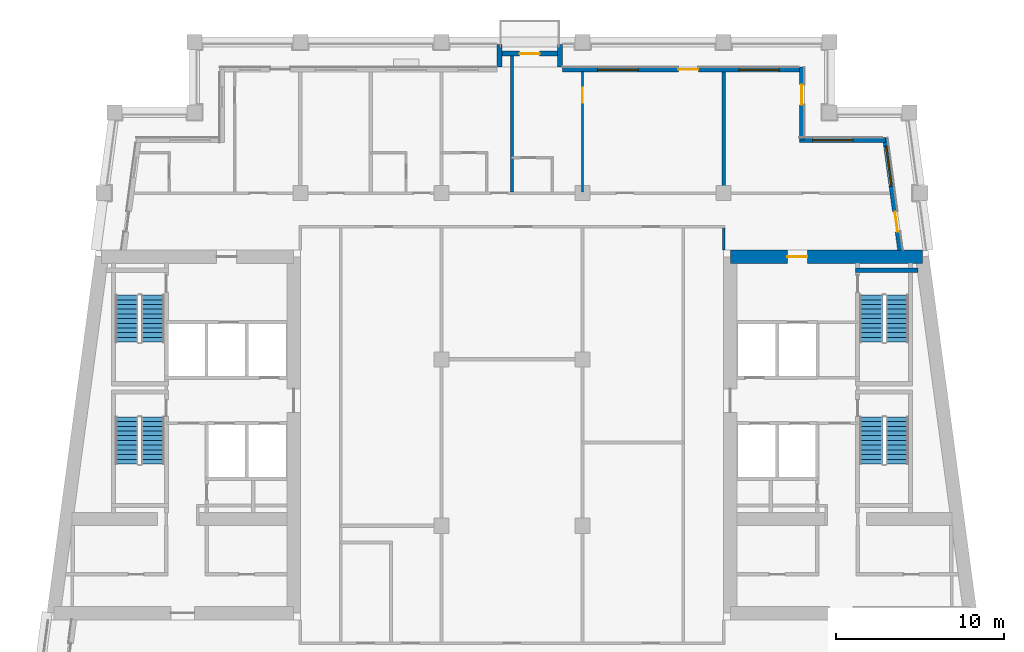
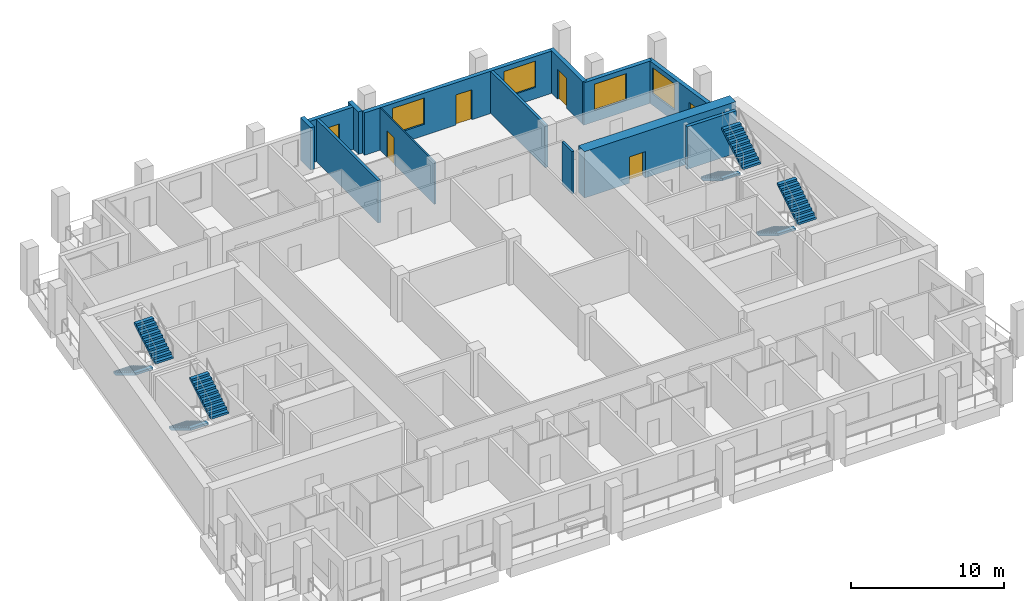
# One storey, part 7 of 12: 13 walls, 8 stair flights, 6 doors, 4 windows, 10 openings, 4 elements without a shape of their own.
"""IFC4 building model written with IfcOpenShell, lengths in metres."""

from ifc_helpers import new_model, si_unit, direction, frame, frame_2d, origin, place, context, subcontext, project, spatial, polyline, rectangle, outline, extrude, material, layer, layer_set, type_object, element, fill, aggregate, save


model = new_model("IFC4")

# Units and contexts
model_context = context("Model", 3, precision=1e-05, world=origin(), true_north=direction((0.0, 1.0)))
body_context = subcontext(model_context, "Body", "Model", "MODEL_VIEW")
ifc_project = project(units=[si_unit("LENGTHUNIT", "METRE"), si_unit("AREAUNIT", "SQUARE_METRE"), si_unit("VOLUMEUNIT", "CUBIC_METRE"), si_unit("PLANEANGLEUNIT", "RADIAN"), si_unit("MASSUNIT", "GRAM", prefix="KILO")], contexts=[model_context])

# Site, building, storey
site_placement = place(None, origin())
site = spatial("IfcSite", under=ifc_project, at=site_placement, CompositionType="ELEMENT")
building_placement = place(site_placement, origin())
building = spatial("IfcBuilding", under=site, at=building_placement, Name="Candeia Pilgrim Tower and Theatre", CompositionType="ELEMENT")
storey_placement = place(building_placement, frame((0.0, 0.0, 213.300048828125)))
storey = spatial("IfcBuildingStorey", under=building, at=storey_placement, Name="L51", CompositionType="ELEMENT", Elevation=213.300048828125)

# Wall, opening, door
ifc_material_1 = material(Name="Concrete C50/60", Category="concrete")
ifc_layer_1 = layer(ifc_material_1, 0.800048828125)
ifc_layer_set_1 = layer_set([ifc_layer_1], Name="Core wall 800 C50/60")
wall_type_1 = type_object("IfcWallType", Name="Core wall 800 C50/60", PredefinedType="SHEAR", material=ifc_layer_set_1)
wall_1_placement = place(storey_placement, frame((126.39990234375, 132.0, 0.0), z_axis=(0.0, 0.0, 1.0), x_axis=(1.0, 0.0, 0.0)))
wall_1 = element("IfcWall", 1, at=wall_1_placement, inside=storey, type_object=wall_type_1, Name="Core wall E1", PredefinedType="SHEAR", context=body_context, shape_type="SweptSolid", body=[
    extrude(rectangle(XDim=11.419677734375, YDim=0.800048828125, at=frame_2d((5.7099609375, 0.0))), origin(), (0.0, 0.0, 1.0), 3.699951171875),
])
opening_1_placement = place(wall_1_placement, frame((3.386474609375, 0.0, 0.0)))
opening_1 = element("IfcOpeningElement", 2, at=opening_1_placement, cuts=wall_1, Name="Opening L51-D057", PredefinedType="OPENING", context=body_context, shape_type="SweptSolid", body=[
    extrude(rectangle(XDim=1.199951171875, YDim=2.10009765625, at=frame_2d((0.60009765625, 1.050048828125))), frame((0.0, 0.41015625, 0.0), z_axis=(0.0, -1.0, 0.0), x_axis=(1.0, 0.0, 0.0)), (0.0, 0.0, 1.0), 0.820068359375),
])
ifc_material_2 = material(Name="Steel fire door set", Category="steel")
door_type_1 = type_object("IfcDoorType", Name="D-1200-FD60", OperationType="NOTDEFINED", PredefinedType="DOOR", material=ifc_material_2)
door_1_placement = place(opening_1_placement, origin())
door_1 = element("IfcDoor", 3, at=door_1_placement, inside=storey, type_object=door_type_1, Name="Door L51-D057", OperationType="SINGLE_SWING_RIGHT", OverallHeight=2.10009765625, OverallWidth=1.199951171875, PredefinedType="DOOR", context=body_context, shape_type="SweptSolid", body=[
    extrude(rectangle(XDim=1.199951171875, YDim=2.10009765625, at=frame_2d((0.60009765625, 1.050048828125))), frame((0.0, 0.02490234375, 0.0), z_axis=(0.0, -1.0, 0.0), x_axis=(1.0, 0.0, 0.0)), (0.0, 0.0, 1.0), 0.050048828125),
])
fill(opening_1, door_1)

# Wall, openings, door, window
ifc_material_3 = material(Name="Ceramic block masonry", Category="masonry")
ifc_layer_2 = layer(ifc_material_3, 0.300048828125)
ifc_layer_set_2 = layer_set([ifc_layer_2], Name="EW1 glazing-line wall 300")
wall_type_2 = type_object("IfcWallType", Name="EW1 glazing-line wall 300", PredefinedType="SOLIDWALL", material=ifc_layer_set_2)
wall_2_placement = place(storey_placement, frame((136.50439453125, 132.39990234375, 0.0), z_axis=(0.0, 0.0, 1.0), x_axis=(-0.133399697462, 0.99106231929, 0.0)))
wall_2 = element("IfcWall", 4, at=wall_2_placement, inside=storey, type_object=wall_type_2, Name="External wall L51-3.1", PredefinedType="SOLIDWALL", context=body_context, shape_type="SweptSolid", body=[
    extrude(rectangle(XDim=6.740478515625, YDim=0.300048828125, at=frame_2d((3.3701171875, 0.0))), origin(), (0.0, 0.0, 1.0), 3.3798828125),
])
opening_2_placement = place(wall_2_placement, frame((1.115234375, 0.0, 0.0)))
opening_2 = element("IfcOpeningElement", 5, at=opening_2_placement, cuts=wall_2, Name="Opening L51-ED485", PredefinedType="OPENING", context=body_context, shape_type="SweptSolid", body=[
    extrude(rectangle(XDim=1.199951171875, YDim=2.39990234375, at=frame_2d((0.60009765625, 1.199951171875))), frame((0.0, 0.16015625, 0.0), z_axis=(0.0, -1.0, 0.0), x_axis=(1.0, 0.0, 0.0)), (0.0, 0.0, 1.0), 0.320068359375),
])
opening_3_placement = place(wall_2_placement, frame((3.83544921875, 0.0, 0.89990234375)))
opening_3 = element("IfcOpeningElement", 6, at=opening_3_placement, cuts=wall_2, Name="Opening W-A", PredefinedType="OPENING", context=body_context, shape_type="SweptSolid", body=[
    extrude(rectangle(XDim=2.39990234375, YDim=2.10009765625, at=frame_2d((1.199951171875, 1.050048828125))), frame((0.0, 0.16015625, 0.0), z_axis=(0.0, -1.0, 0.0), x_axis=(1.0, 0.0, 0.0)), (0.0, 0.0, 1.0), 0.320068359375),
])
ifc_material_4 = material(Name="Aluminium framed glazed door", Category="aluminium")
door_type_2 = type_object("IfcDoorType", Name="Loggia door 1200x2400", OperationType="DOUBLE_DOOR_SINGLE_SWING", PredefinedType="DOOR", material=ifc_material_4)
door_2_placement = place(opening_2_placement, origin())
door_2 = element("IfcDoor", 7, at=door_2_placement, inside=storey, type_object=door_type_2, Name="Loggia door L51-ED485", OperationType="DOUBLE_DOOR_SINGLE_SWING", OverallHeight=2.39990234375, OverallWidth=1.199951171875, PredefinedType="DOOR", context=body_context, shape_type="SweptSolid", body=[
    extrude(rectangle(XDim=1.199951171875, YDim=2.39990234375, at=frame_2d((0.60009765625, 1.199951171875))), frame((0.0, 0.02490234375, 0.0), z_axis=(0.0, -1.0, 0.0), x_axis=(1.0, 0.0, 0.0)), (0.0, 0.0, 1.0), 0.050048828125),
])
fill(opening_2, door_2)
ifc_material_5 = material(Name="Aluminium framed double glazing", Category="aluminium")
window_type = type_object("IfcWindowType", Name="W-A window 2400x2100", PartitioningType="DOUBLE_PANEL_VERTICAL", PredefinedType="WINDOW", material=ifc_material_5)
window_1_placement = place(opening_3_placement, origin())
window_1 = element("IfcWindow", 8, at=window_1_placement, inside=storey, type_object=window_type, Name="Window W-A L51", OverallHeight=2.10009765625, OverallWidth=2.39990234375, PartitioningType="SINGLE_PANEL", PredefinedType="WINDOW", context=body_context, shape_type="SweptSolid", body=[
    extrude(rectangle(XDim=2.39990234375, YDim=2.10009765625, at=frame_2d((1.199951171875, 1.050048828125))), frame((0.0, 0.030029296875, 0.0), z_axis=(0.0, -1.0, 0.0), x_axis=(1.0, 0.0, 0.0)), (0.0, 0.0, 1.0), 0.06005859375),
])
fill(opening_3, window_1)

# Wall, opening, window
wall_3_placement = place(storey_placement, frame((135.62255859375, 138.949951171875, 0.0), z_axis=(0.0, 0.0, 1.0), x_axis=(-1.0, 0.0, 0.0)))
wall_3 = element("IfcWall", 9, at=wall_3_placement, inside=storey, type_object=wall_type_2, Name="External wall L51-4.0", PredefinedType="SOLIDWALL", context=body_context, shape_type="SweptSolid", body=[
    extrude(rectangle(XDim=5.12255859375, YDim=0.300048828125, at=frame_2d((2.561279296875, 0.0))), origin(), (0.0, 0.0, 1.0), 3.3798828125),
])
opening_4_placement = place(wall_3_placement, frame((1.922607421875, 0.0, 0.89990234375)))
opening_4 = element("IfcOpeningElement", 10, at=opening_4_placement, cuts=wall_3, Name="Opening W-A", PredefinedType="OPENING", context=body_context, shape_type="SweptSolid", body=[
    extrude(rectangle(XDim=2.39990234375, YDim=2.10009765625, at=frame_2d((1.199951171875, 1.050048828125))), frame((0.0, 0.16015625, 0.0), z_axis=(0.0, -1.0, 0.0), x_axis=(1.0, 0.0, 0.0)), (0.0, 0.0, 1.0), 0.320068359375),
])
window_2_placement = place(opening_4_placement, origin())
window_2 = element("IfcWindow", 11, at=window_2_placement, inside=storey, type_object=window_type, Name="Window W-A L51", OverallHeight=2.10009765625, OverallWidth=2.39990234375, PartitioningType="SINGLE_PANEL", PredefinedType="WINDOW", context=body_context, shape_type="SweptSolid", body=[
    extrude(rectangle(XDim=2.39990234375, YDim=2.10009765625, at=frame_2d((1.199951171875, 1.050048828125))), frame((0.0, 0.030029296875, 0.0), z_axis=(0.0, -1.0, 0.0), x_axis=(1.0, 0.0, 0.0)), (0.0, 0.0, 1.0), 0.06005859375),
])
fill(opening_4, window_2)

# Wall, opening, door
wall_4_placement = place(storey_placement, frame((130.64990234375, 138.949951171875, 0.0), z_axis=(0.0, 0.0, 1.0), x_axis=(0.0, 1.0, 0.0)))
wall_4 = element("IfcWall", 12, at=wall_4_placement, inside=storey, type_object=wall_type_2, Name="External wall L51-5.0", PredefinedType="SOLIDWALL", context=body_context, shape_type="SweptSolid", body=[
    extrude(rectangle(XDim=4.35009765625, YDim=0.300048828125, at=frame_2d((2.175048828125, 0.0))), origin(), (0.0, 0.0, 1.0), 3.3798828125),
])
opening_5_placement = place(wall_4_placement, frame((2.10009765625, 0.0, 0.0)))
opening_5 = element("IfcOpeningElement", 13, at=opening_5_placement, cuts=wall_4, Name="Opening L51-ED486", PredefinedType="OPENING", context=body_context, shape_type="SweptSolid", body=[
    extrude(rectangle(XDim=1.199951171875, YDim=2.39990234375, at=frame_2d((0.60009765625, 1.199951171875))), frame((0.0, 0.16015625, 0.0), z_axis=(0.0, -1.0, 0.0), x_axis=(1.0, 0.0, 0.0)), (0.0, 0.0, 1.0), 0.320068359375),
])
door_3_placement = place(opening_5_placement, origin())
door_3 = element("IfcDoor", 14, at=door_3_placement, inside=storey, type_object=door_type_2, Name="Loggia door L51-ED486", OperationType="DOUBLE_DOOR_SINGLE_SWING", OverallHeight=2.39990234375, OverallWidth=1.199951171875, PredefinedType="DOOR", context=body_context, shape_type="SweptSolid", body=[
    extrude(rectangle(XDim=1.199951171875, YDim=2.39990234375, at=frame_2d((0.60009765625, 1.199951171875))), frame((0.0, 0.02490234375, 0.0), z_axis=(0.0, -1.0, 0.0), x_axis=(1.0, 0.0, 0.0)), (0.0, 0.0, 1.0), 0.050048828125),
])
fill(opening_5, door_3)

# Wall, openings, door, windows
wall_5_placement = place(storey_placement, frame((130.64990234375, 143.14990234375, 0.0), z_axis=(0.0, 0.0, 1.0), x_axis=(-1.0, 0.0, 0.0)))
wall_5 = element("IfcWall", 15, at=wall_5_placement, inside=storey, type_object=wall_type_2, Name="External wall L51-6.0", PredefinedType="SOLIDWALL", context=body_context, shape_type="SweptSolid", body=[
    extrude(rectangle(XDim=14.25, YDim=0.300048828125, at=frame_2d((7.125, 0.0))), origin(), (0.0, 0.0, 1.0), 3.3798828125),
])
opening_6_placement = place(wall_5_placement, frame((1.35009765625, 0.0, 0.89990234375)))
opening_6 = element("IfcOpeningElement", 16, at=opening_6_placement, cuts=wall_5, Name="Opening W-A", PredefinedType="OPENING", context=body_context, shape_type="SweptSolid", body=[
    extrude(rectangle(XDim=2.39990234375, YDim=2.10009765625, at=frame_2d((1.199951171875, 1.050048828125))), frame((0.0, 0.16015625, 0.0), z_axis=(0.0, -1.0, 0.0), x_axis=(1.0, 0.0, 0.0)), (0.0, 0.0, 1.0), 0.320068359375),
])
opening_7_placement = place(wall_5_placement, frame((6.14990234375, 0.0, 0.0)))
opening_7 = element("IfcOpeningElement", 17, at=opening_7_placement, cuts=wall_5, Name="Opening L51-ED487", PredefinedType="OPENING", context=body_context, shape_type="SweptSolid", body=[
    extrude(rectangle(XDim=1.199951171875, YDim=2.39990234375, at=frame_2d((0.60009765625, 1.199951171875))), frame((0.0, 0.16015625, 0.0), z_axis=(0.0, -1.0, 0.0), x_axis=(1.0, 0.0, 0.0)), (0.0, 0.0, 1.0), 0.320068359375),
])
opening_8_placement = place(wall_5_placement, frame((9.75, 0.0, 0.89990234375)))
opening_8 = element("IfcOpeningElement", 18, at=opening_8_placement, cuts=wall_5, Name="Opening W-A", PredefinedType="OPENING", context=body_context, shape_type="SweptSolid", body=[
    extrude(rectangle(XDim=2.39990234375, YDim=2.10009765625, at=frame_2d((1.199951171875, 1.050048828125))), frame((0.0, 0.16015625, 0.0), z_axis=(0.0, -1.0, 0.0), x_axis=(1.0, 0.0, 0.0)), (0.0, 0.0, 1.0), 0.320068359375),
])
door_4_placement = place(opening_7_placement, origin())
door_4 = element("IfcDoor", 19, at=door_4_placement, inside=storey, type_object=door_type_2, Name="Loggia door L51-ED487", OperationType="DOUBLE_DOOR_SINGLE_SWING", OverallHeight=2.39990234375, OverallWidth=1.199951171875, PredefinedType="DOOR", context=body_context, shape_type="SweptSolid", body=[
    extrude(rectangle(XDim=1.199951171875, YDim=2.39990234375, at=frame_2d((0.60009765625, 1.199951171875))), frame((0.0, 0.02490234375, 0.0), z_axis=(0.0, -1.0, 0.0), x_axis=(1.0, 0.0, 0.0)), (0.0, 0.0, 1.0), 0.050048828125),
])
fill(opening_7, door_4)
window_3_placement = place(opening_6_placement, origin())
window_3 = element("IfcWindow", 20, at=window_3_placement, inside=storey, type_object=window_type, Name="Window W-A L51", OverallHeight=2.10009765625, OverallWidth=2.39990234375, PartitioningType="SINGLE_PANEL", PredefinedType="WINDOW", context=body_context, shape_type="SweptSolid", body=[
    extrude(rectangle(XDim=2.39990234375, YDim=2.10009765625, at=frame_2d((1.199951171875, 1.050048828125))), frame((0.0, 0.030029296875, 0.0), z_axis=(0.0, -1.0, 0.0), x_axis=(1.0, 0.0, 0.0)), (0.0, 0.0, 1.0), 0.06005859375),
])
fill(opening_6, window_3)
window_4_placement = place(opening_8_placement, origin())
window_4 = element("IfcWindow", 21, at=window_4_placement, inside=storey, type_object=window_type, Name="Window W-A L51", OverallHeight=2.10009765625, OverallWidth=2.39990234375, PartitioningType="SINGLE_PANEL", PredefinedType="WINDOW", context=body_context, shape_type="SweptSolid", body=[
    extrude(rectangle(XDim=2.39990234375, YDim=2.10009765625, at=frame_2d((1.199951171875, 1.050048828125))), frame((0.0, 0.030029296875, 0.0), z_axis=(0.0, -1.0, 0.0), x_axis=(1.0, 0.0, 0.0)), (0.0, 0.0, 1.0), 0.06005859375),
])
fill(opening_8, window_4)

# Walls
ifc_layer_3 = layer(ifc_material_3, 0.300048828125)
ifc_layer_set_3 = layer_set([ifc_layer_3], Name="EW2 entrance infill wall 300")
wall_type_3 = type_object("IfcWallType", Name="EW2 entrance infill wall 300", PredefinedType="SOLIDWALL", material=ifc_layer_set_3)
for number, where, z_axis, x_axis, name in (
    (22, (116.25, 143.300048828125, 0.0), (0.0, 0.0, 1.0), (0.0, 1.0, 0.0), "Alcove wall L51"),
    (23, (112.64990234375, 143.300048828125, 0.0), (0.0, 0.0, 1.0), (0.0, 1.0, 0.0), "Alcove wall L51"),
):
    element("IfcWall", number, at=place(storey_placement, frame(where, z_axis=z_axis, x_axis=x_axis)), inside=storey, type_object=wall_type_3, Name=name, PredefinedType="SOLIDWALL", context=body_context, shape_type="SweptSolid", body=[
        extrude(rectangle(XDim=1.349853515625, YDim=0.300048828125, at=frame_2d((0.6748046875, 0.0))), origin(), (0.0, 0.0, 1.0), 3.3798828125),
    ])

# Wall, opening, door
wall_6_placement = place(storey_placement, frame((116.39990234375, 144.10009765625, 0.0), z_axis=(0.0, 0.0, 1.0), x_axis=(-1.0, 0.0, 0.0)))
wall_6 = element("IfcWall", 24, at=wall_6_placement, inside=storey, type_object=wall_type_3, Name="Alcove wall L51", PredefinedType="SOLIDWALL", context=body_context, shape_type="SweptSolid", body=[
    extrude(rectangle(XDim=3.89990234375, YDim=0.300048828125, at=frame_2d((1.949951171875, 0.0))), origin(), (0.0, 0.0, 1.0), 3.3798828125),
])
opening_9_placement = place(wall_6_placement, frame((1.35009765625, 0.0, 0.0)))
opening_9 = element("IfcOpeningElement", 25, at=opening_9_placement, cuts=wall_6, Name="Opening L51-ED489", PredefinedType="OPENING", context=body_context, shape_type="SweptSolid", body=[
    extrude(rectangle(XDim=1.199951171875, YDim=2.39990234375, at=frame_2d((0.60009765625, 1.199951171875))), frame((0.0, 0.16015625, 0.0), z_axis=(0.0, -1.0, 0.0), x_axis=(1.0, 0.0, 0.0)), (0.0, 0.0, 1.0), 0.320068359375),
])
door_5_placement = place(opening_9_placement, origin())
door_5 = element("IfcDoor", 26, at=door_5_placement, inside=storey, type_object=door_type_2, Name="Balcony door L51-ED489", OperationType="DOUBLE_DOOR_SINGLE_SWING", OverallHeight=2.39990234375, OverallWidth=1.199951171875, PredefinedType="DOOR", context=body_context, shape_type="SweptSolid", body=[
    extrude(rectangle(XDim=1.199951171875, YDim=2.39990234375, at=frame_2d((0.60009765625, 1.199951171875))), frame((0.0, 0.02490234375, 0.0), z_axis=(0.0, -1.0, 0.0), x_axis=(1.0, 0.0, 0.0)), (0.0, 0.0, 1.0), 0.050048828125),
])
fill(opening_9, door_5)

ifc_material_6 = material(Name="Gypsum board partition on steel studs", Category="steel")
ifc_layer_4 = layer(ifc_material_6, 0.10009765625)
ifc_layer_set_4 = layer_set([ifc_layer_4], Name="PW-100 room partition")
wall_type_4 = type_object("IfcWallType", Name="PW-100 room partition", PredefinedType="PARTITIONING", material=ifc_layer_set_4)
wall_7_placement = place(storey_placement, frame((117.60009765625, 135.875, 0.0), z_axis=(0.0, 0.0, 1.0), x_axis=(0.0, 1.0, 0.0)))
wall_7 = element("IfcWall", 27, at=wall_7_placement, inside=storey, type_object=wall_type_4, Name="Room partition L51-090", PredefinedType="PARTITIONING", context=body_context, shape_type="SweptSolid", body=[
    extrude(rectangle(XDim=7.135009765625, YDim=0.10009765625, at=frame_2d((3.5673828125, 0.0))), origin(), (0.0, 0.0, 1.0), 3.3798828125),
])
opening_10_placement = place(wall_7_placement, frame((5.2900390625, 0.0, 0.0)))
opening_10 = element("IfcOpeningElement", 28, at=opening_10_placement, cuts=wall_7, Name="Opening L51-D043", PredefinedType="OPENING", context=body_context, shape_type="SweptSolid", body=[
    extrude(rectangle(XDim=0.89990234375, YDim=2.10009765625, at=frame_2d((0.449951171875, 1.050048828125))), frame((0.0, 0.06005859375, 0.0), z_axis=(0.0, -1.0, 0.0), x_axis=(1.0, 0.0, 0.0)), (0.0, 0.0, 1.0), 0.1201171875),
])
ifc_material_7 = material(Name="Timber door leaf", Category="wood")
door_type_3 = type_object("IfcDoorType", Name="D-900", OperationType="NOTDEFINED", PredefinedType="DOOR", material=ifc_material_7)
door_6_placement = place(opening_10_placement, origin())
door_6 = element("IfcDoor", 29, at=door_6_placement, inside=storey, type_object=door_type_3, Name="Door L51-D043", OperationType="SINGLE_SWING_RIGHT", OverallHeight=2.10009765625, OverallWidth=0.89990234375, PredefinedType="DOOR", context=body_context, shape_type="SweptSolid", body=[
    extrude(rectangle(XDim=0.89990234375, YDim=2.10009765625, at=frame_2d((0.449951171875, 1.050048828125))), frame((0.0, 0.02490234375, 0.0), z_axis=(0.0, -1.0, 0.0), x_axis=(1.0, 0.0, 0.0)), (0.0, 0.0, 1.0), 0.050048828125),
])
fill(opening_10, door_6)

# Walls
ifc_layer_5 = layer(ifc_material_6, 0.14990234375)
ifc_layer_set_5 = layer_set([ifc_layer_5], Name="PW-150 unit wall")
wall_type_5 = type_object("IfcWallType", Name="PW-150 unit wall", PredefinedType="PARTITIONING", material=ifc_layer_set_5)
wall_8_placement = place(storey_placement, frame((126.0, 132.39990234375, 0.0), z_axis=(0.0, 0.0, 1.0), x_axis=(0.0, 1.0, 0.0)))
element("IfcWall", 30, at=wall_8_placement, inside=storey, type_object=wall_type_5, Name="Unit wall L51-100", PredefinedType="PARTITIONING", context=body_context, shape_type="SweptSolid", body=[
    extrude(rectangle(XDim=1.3251953125, YDim=0.14990234375, at=frame_2d((0.66259765625, 0.0))), origin(), (0.0, 0.0, 1.0), 3.3798828125),
])
ifc_layer_6 = layer(ifc_material_6, 0.199951171875)
ifc_layer_set_6 = layer_set([ifc_layer_6], Name="PW-200 party wall")
wall_type_6 = type_object("IfcWallType", Name="PW-200 party wall", PredefinedType="PARTITIONING", material=ifc_layer_set_6)
wall_9_placement = place(storey_placement, frame((113.39990234375, 135.875, 0.0), z_axis=(0.0, 0.0, 1.0), x_axis=(0.0, 1.0, 0.0)))
element("IfcWall", 31, at=wall_9_placement, inside=storey, type_object=wall_type_6, Name="Party wall L51-087", PredefinedType="PARTITIONING", context=body_context, shape_type="SweptSolid", body=[
    extrude(rectangle(XDim=8.0849609375, YDim=0.199951171875, at=frame_2d((4.04248046875, 0.0))), origin(), (0.0, 0.0, 1.0), 3.3798828125),
])
wall_10_placement = place(storey_placement, frame((126.0, 135.875, 0.0), z_axis=(0.0, 0.0, 1.0), x_axis=(0.0, 1.0, 0.0)))
element("IfcWall", 32, at=wall_10_placement, inside=storey, type_object=wall_type_6, Name="Party wall L51-098", PredefinedType="PARTITIONING", context=body_context, shape_type="SweptSolid", body=[
    extrude(rectangle(XDim=7.135009765625, YDim=0.199951171875, at=frame_2d((3.5673828125, 0.0))), origin(), (0.0, 0.0, 1.0), 3.3798828125),
])
ifc_material_8 = material(Name="Concrete C40/50", Category="concrete")
ifc_layer_7 = layer(ifc_material_8, 0.25)
ifc_layer_set_7 = layer_set([ifc_layer_7], Name="SW-250 stair wall")
wall_type_7 = type_object("IfcWallType", Name="SW-250 stair wall", PredefinedType="PARTITIONING", material=ifc_layer_set_7)
wall_11_placement = place(storey_placement, frame((133.847900390625, 131.199951171875, 0.0), z_axis=(0.0, 0.0, 1.0), x_axis=(1.0, 0.0, 0.0)))
element("IfcWall", 33, at=wall_11_placement, inside=storey, type_object=wall_type_7, Name="Stair wall L51-042", PredefinedType="PARTITIONING", context=body_context, shape_type="SweptSolid", body=[
    extrude(rectangle(XDim=3.705810546875, YDim=0.25, at=frame_2d((1.85302734375, 0.0))), origin(), (0.0, 0.0, 1.0), 3.3798828125),
])

# Stair, stair flights
stair_type = type_object("IfcStairType", Name="ST-TWR dog-leg escape stair", PredefinedType="HALF_TURN_STAIR", material=ifc_material_8)
stair_1_placement = place(storey_placement, origin())
stair_1 = element("IfcStair", 34, at=stair_1_placement, inside=storey, type_object=stair_type, Name="L51 Escape stair ST1", PredefinedType="HALF_TURN_STAIR")
stair_flight_type = type_object("IfcStairFlightType", Name="SFL-RC stair flight", PredefinedType="STRAIGHT", material=ifc_material_8)
stair_flight_1_placement = place(storey_placement, frame((90.47705078125, 122.47509765625, 0.0), z_axis=(0.0, 0.0, 1.0), x_axis=(0.0, -1.0, 0.0)))
stair_flight_1 = element("IfcStairFlight", 35, at=stair_flight_1_placement, type_object=stair_flight_type, Name="ST1 flight 1", NumberOfRisers=11, NumberOfTreads=10, PredefinedType="STRAIGHT", RiserHeight=0.168181818, TreadLength=0.28, context=body_context, shape_type="SweptSolid", body=[
    extrude(outline(polyline([(0.0, 0.0), (0.0, 0.168212890625), (0.280029296875, 0.168212890625), (0.280029296875, 0.33642578125), (0.56005859375, 0.33642578125), (0.56005859375, 0.504638671875), (0.840087890625, 0.504638671875), (0.840087890625, 0.672607421875), (1.1201171875, 0.672607421875), (1.1201171875, 0.8408203125), (1.39990234375, 0.8408203125), (1.39990234375, 1.009033203125), (1.679931640625, 1.009033203125), (1.679931640625, 1.17724609375), (1.9599609375, 1.17724609375), (1.9599609375, 1.345458984375), (2.239990234375, 1.345458984375), (2.239990234375, 1.513671875), (2.52001953125, 1.513671875), (2.52001953125, 1.681884765625), (2.800048828125, 1.681884765625), (2.800048828125, 1.85009765625), (2.800048828125, 1.5068359375), (0.291015625, 0.0), (0.0, 0.0)])), frame((0.0, 0.675048828125, 0.0), z_axis=(0.0, -1.0, 0.0), x_axis=(1.0, 0.0, 0.0)), (0.0, 0.0, 1.0), 1.35009765625),
])
stair_flight_2_placement = place(storey_placement, frame((92.027099609375, 119.675048828125, 1.849853515625), z_axis=(0.0, 0.0, 1.0), x_axis=(0.0, 1.0, 0.0)))
stair_flight_2 = element("IfcStairFlight", 36, at=stair_flight_2_placement, type_object=stair_flight_type, Name="ST1 flight 2", NumberOfRisers=11, NumberOfTreads=10, PredefinedType="STRAIGHT", RiserHeight=0.168181818, TreadLength=0.28, context=body_context, shape_type="SweptSolid", body=[
    extrude(outline(polyline([(0.0, 0.0), (0.0, 0.168212890625), (0.280029296875, 0.168212890625), (0.280029296875, 0.33642578125), (0.56005859375, 0.33642578125), (0.56005859375, 0.504638671875), (0.840087890625, 0.504638671875), (0.840087890625, 0.672607421875), (1.1201171875, 0.672607421875), (1.1201171875, 0.8408203125), (1.39990234375, 0.8408203125), (1.39990234375, 1.009033203125), (1.679931640625, 1.009033203125), (1.679931640625, 1.17724609375), (1.9599609375, 1.17724609375), (1.9599609375, 1.345458984375), (2.239990234375, 1.345458984375), (2.239990234375, 1.513671875), (2.52001953125, 1.513671875), (2.52001953125, 1.681884765625), (2.800048828125, 1.681884765625), (2.800048828125, 1.85009765625), (2.800048828125, 1.5068359375), (0.291015625, 0.0), (0.0, 0.0)])), frame((0.0, 0.675048828125, 0.0), z_axis=(0.0, -1.0, 0.0), x_axis=(1.0, 0.0, 0.0)), (0.0, 0.0, 1.0), 1.35009765625),
])
aggregate(stair_1, [stair_flight_1, stair_flight_2])

stair_2_placement = place(storey_placement, origin())
stair_2 = element("IfcStair", 37, at=stair_2_placement, inside=storey, type_object=stair_type, Name="L51 Escape stair ST2", PredefinedType="HALF_TURN_STAIR")
stair_flight_3_placement = place(storey_placement, frame((90.47705078125, 129.72509765625, 0.0), z_axis=(0.0, 0.0, 1.0), x_axis=(0.0, -1.0, 0.0)))
stair_flight_3 = element("IfcStairFlight", 38, at=stair_flight_3_placement, type_object=stair_flight_type, Name="ST2 flight 1", NumberOfRisers=11, NumberOfTreads=10, PredefinedType="STRAIGHT", RiserHeight=0.168181818, TreadLength=0.28, context=body_context, shape_type="SweptSolid", body=[
    extrude(outline(polyline([(0.0, 0.0), (0.0, 0.168212890625), (0.280029296875, 0.168212890625), (0.280029296875, 0.33642578125), (0.56005859375, 0.33642578125), (0.56005859375, 0.504638671875), (0.840087890625, 0.504638671875), (0.840087890625, 0.672607421875), (1.1201171875, 0.672607421875), (1.1201171875, 0.8408203125), (1.39990234375, 0.8408203125), (1.39990234375, 1.009033203125), (1.679931640625, 1.009033203125), (1.679931640625, 1.17724609375), (1.9599609375, 1.17724609375), (1.9599609375, 1.345458984375), (2.239990234375, 1.345458984375), (2.239990234375, 1.513671875), (2.52001953125, 1.513671875), (2.52001953125, 1.681884765625), (2.800048828125, 1.681884765625), (2.800048828125, 1.85009765625), (2.800048828125, 1.5068359375), (0.291015625, 0.0), (0.0, 0.0)])), frame((0.0, 0.675048828125, 0.0), z_axis=(0.0, -1.0, 0.0), x_axis=(1.0, 0.0, 0.0)), (0.0, 0.0, 1.0), 1.35009765625),
])
stair_flight_4_placement = place(storey_placement, frame((92.027099609375, 126.925048828125, 1.849853515625), z_axis=(0.0, 0.0, 1.0), x_axis=(0.0, 1.0, 0.0)))
stair_flight_4 = element("IfcStairFlight", 39, at=stair_flight_4_placement, type_object=stair_flight_type, Name="ST2 flight 2", NumberOfRisers=11, NumberOfTreads=10, PredefinedType="STRAIGHT", RiserHeight=0.168181818, TreadLength=0.28, context=body_context, shape_type="SweptSolid", body=[
    extrude(outline(polyline([(0.0, 0.0), (0.0, 0.168212890625), (0.280029296875, 0.168212890625), (0.280029296875, 0.33642578125), (0.56005859375, 0.33642578125), (0.56005859375, 0.504638671875), (0.840087890625, 0.504638671875), (0.840087890625, 0.672607421875), (1.1201171875, 0.672607421875), (1.1201171875, 0.8408203125), (1.39990234375, 0.8408203125), (1.39990234375, 1.009033203125), (1.679931640625, 1.009033203125), (1.679931640625, 1.17724609375), (1.9599609375, 1.17724609375), (1.9599609375, 1.345458984375), (2.239990234375, 1.345458984375), (2.239990234375, 1.513671875), (2.52001953125, 1.513671875), (2.52001953125, 1.681884765625), (2.800048828125, 1.681884765625), (2.800048828125, 1.85009765625), (2.800048828125, 1.5068359375), (0.291015625, 0.0), (0.0, 0.0)])), frame((0.0, 0.675048828125, 0.0), z_axis=(0.0, -1.0, 0.0), x_axis=(1.0, 0.0, 0.0)), (0.0, 0.0, 1.0), 1.35009765625),
])
aggregate(stair_2, [stair_flight_3, stair_flight_4])

stair_3_placement = place(storey_placement, origin())
stair_3 = element("IfcStair", 40, at=stair_3_placement, inside=storey, type_object=stair_type, Name="L51 Escape stair ST3", PredefinedType="HALF_TURN_STAIR")
stair_flight_5_placement = place(storey_placement, frame((134.77294921875, 122.47509765625, 0.0), z_axis=(0.0, 0.0, 1.0), x_axis=(0.0, -1.0, 0.0)))
stair_flight_5 = element("IfcStairFlight", 41, at=stair_flight_5_placement, type_object=stair_flight_type, Name="ST3 flight 1", NumberOfRisers=11, NumberOfTreads=10, PredefinedType="STRAIGHT", RiserHeight=0.168181818, TreadLength=0.28, context=body_context, shape_type="SweptSolid", body=[
    extrude(outline(polyline([(0.0, 0.0), (0.0, 0.168212890625), (0.280029296875, 0.168212890625), (0.280029296875, 0.33642578125), (0.56005859375, 0.33642578125), (0.56005859375, 0.504638671875), (0.840087890625, 0.504638671875), (0.840087890625, 0.672607421875), (1.1201171875, 0.672607421875), (1.1201171875, 0.8408203125), (1.39990234375, 0.8408203125), (1.39990234375, 1.009033203125), (1.679931640625, 1.009033203125), (1.679931640625, 1.17724609375), (1.9599609375, 1.17724609375), (1.9599609375, 1.345458984375), (2.239990234375, 1.345458984375), (2.239990234375, 1.513671875), (2.52001953125, 1.513671875), (2.52001953125, 1.681884765625), (2.800048828125, 1.681884765625), (2.800048828125, 1.85009765625), (2.800048828125, 1.5068359375), (0.291015625, 0.0), (0.0, 0.0)])), frame((0.0, 0.675048828125, 0.0), z_axis=(0.0, -1.0, 0.0), x_axis=(1.0, 0.0, 0.0)), (0.0, 0.0, 1.0), 1.35009765625),
])
stair_flight_6_placement = place(storey_placement, frame((136.322998046875, 119.675048828125, 1.849853515625), z_axis=(0.0, 0.0, 1.0), x_axis=(0.0, 1.0, 0.0)))
stair_flight_6 = element("IfcStairFlight", 42, at=stair_flight_6_placement, type_object=stair_flight_type, Name="ST3 flight 2", NumberOfRisers=11, NumberOfTreads=10, PredefinedType="STRAIGHT", RiserHeight=0.168181818, TreadLength=0.28, context=body_context, shape_type="SweptSolid", body=[
    extrude(outline(polyline([(0.0, 0.0), (0.0, 0.168212890625), (0.280029296875, 0.168212890625), (0.280029296875, 0.33642578125), (0.56005859375, 0.33642578125), (0.56005859375, 0.504638671875), (0.840087890625, 0.504638671875), (0.840087890625, 0.672607421875), (1.1201171875, 0.672607421875), (1.1201171875, 0.8408203125), (1.39990234375, 0.8408203125), (1.39990234375, 1.009033203125), (1.679931640625, 1.009033203125), (1.679931640625, 1.17724609375), (1.9599609375, 1.17724609375), (1.9599609375, 1.345458984375), (2.239990234375, 1.345458984375), (2.239990234375, 1.513671875), (2.52001953125, 1.513671875), (2.52001953125, 1.681884765625), (2.800048828125, 1.681884765625), (2.800048828125, 1.85009765625), (2.800048828125, 1.5068359375), (0.291015625, 0.0), (0.0, 0.0)])), frame((0.0, 0.675048828125, 0.0), z_axis=(0.0, -1.0, 0.0), x_axis=(1.0, 0.0, 0.0)), (0.0, 0.0, 1.0), 1.35009765625),
])
aggregate(stair_3, [stair_flight_5, stair_flight_6])

stair_4_placement = place(storey_placement, origin())
stair_4 = element("IfcStair", 43, at=stair_4_placement, inside=storey, type_object=stair_type, Name="L51 Escape stair ST4", PredefinedType="HALF_TURN_STAIR")
stair_flight_7_placement = place(storey_placement, frame((134.77294921875, 129.72509765625, 0.0), z_axis=(0.0, 0.0, 1.0), x_axis=(0.0, -1.0, 0.0)))
stair_flight_7 = element("IfcStairFlight", 44, at=stair_flight_7_placement, type_object=stair_flight_type, Name="ST4 flight 1", NumberOfRisers=11, NumberOfTreads=10, PredefinedType="STRAIGHT", RiserHeight=0.168181818, TreadLength=0.28, context=body_context, shape_type="SweptSolid", body=[
    extrude(outline(polyline([(0.0, 0.0), (0.0, 0.168212890625), (0.280029296875, 0.168212890625), (0.280029296875, 0.33642578125), (0.56005859375, 0.33642578125), (0.56005859375, 0.504638671875), (0.840087890625, 0.504638671875), (0.840087890625, 0.672607421875), (1.1201171875, 0.672607421875), (1.1201171875, 0.8408203125), (1.39990234375, 0.8408203125), (1.39990234375, 1.009033203125), (1.679931640625, 1.009033203125), (1.679931640625, 1.17724609375), (1.9599609375, 1.17724609375), (1.9599609375, 1.345458984375), (2.239990234375, 1.345458984375), (2.239990234375, 1.513671875), (2.52001953125, 1.513671875), (2.52001953125, 1.681884765625), (2.800048828125, 1.681884765625), (2.800048828125, 1.85009765625), (2.800048828125, 1.5068359375), (0.291015625, 0.0), (0.0, 0.0)])), frame((0.0, 0.675048828125, 0.0), z_axis=(0.0, -1.0, 0.0), x_axis=(1.0, 0.0, 0.0)), (0.0, 0.0, 1.0), 1.35009765625),
])
stair_flight_8_placement = place(storey_placement, frame((136.322998046875, 126.925048828125, 1.849853515625), z_axis=(0.0, 0.0, 1.0), x_axis=(0.0, 1.0, 0.0)))
stair_flight_8 = element("IfcStairFlight", 45, at=stair_flight_8_placement, type_object=stair_flight_type, Name="ST4 flight 2", NumberOfRisers=11, NumberOfTreads=10, PredefinedType="STRAIGHT", RiserHeight=0.168181818, TreadLength=0.28, context=body_context, shape_type="SweptSolid", body=[
    extrude(outline(polyline([(0.0, 0.0), (0.0, 0.168212890625), (0.280029296875, 0.168212890625), (0.280029296875, 0.33642578125), (0.56005859375, 0.33642578125), (0.56005859375, 0.504638671875), (0.840087890625, 0.504638671875), (0.840087890625, 0.672607421875), (1.1201171875, 0.672607421875), (1.1201171875, 0.8408203125), (1.39990234375, 0.8408203125), (1.39990234375, 1.009033203125), (1.679931640625, 1.009033203125), (1.679931640625, 1.17724609375), (1.9599609375, 1.17724609375), (1.9599609375, 1.345458984375), (2.239990234375, 1.345458984375), (2.239990234375, 1.513671875), (2.52001953125, 1.513671875), (2.52001953125, 1.681884765625), (2.800048828125, 1.681884765625), (2.800048828125, 1.85009765625), (2.800048828125, 1.5068359375), (0.291015625, 0.0), (0.0, 0.0)])), frame((0.0, 0.675048828125, 0.0), z_axis=(0.0, -1.0, 0.0), x_axis=(1.0, 0.0, 0.0)), (0.0, 0.0, 1.0), 1.35009765625),
])
aggregate(stair_4, [stair_flight_7, stair_flight_8])

save(model, "model.ifc")
